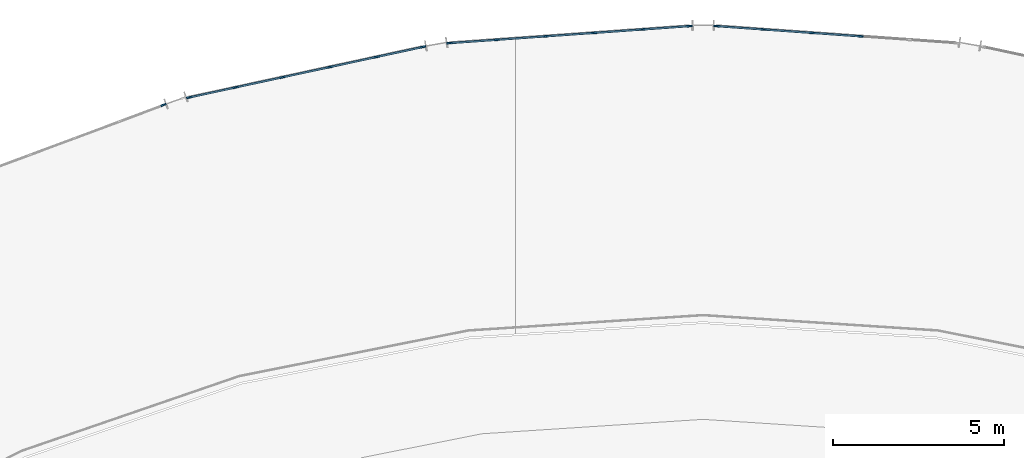
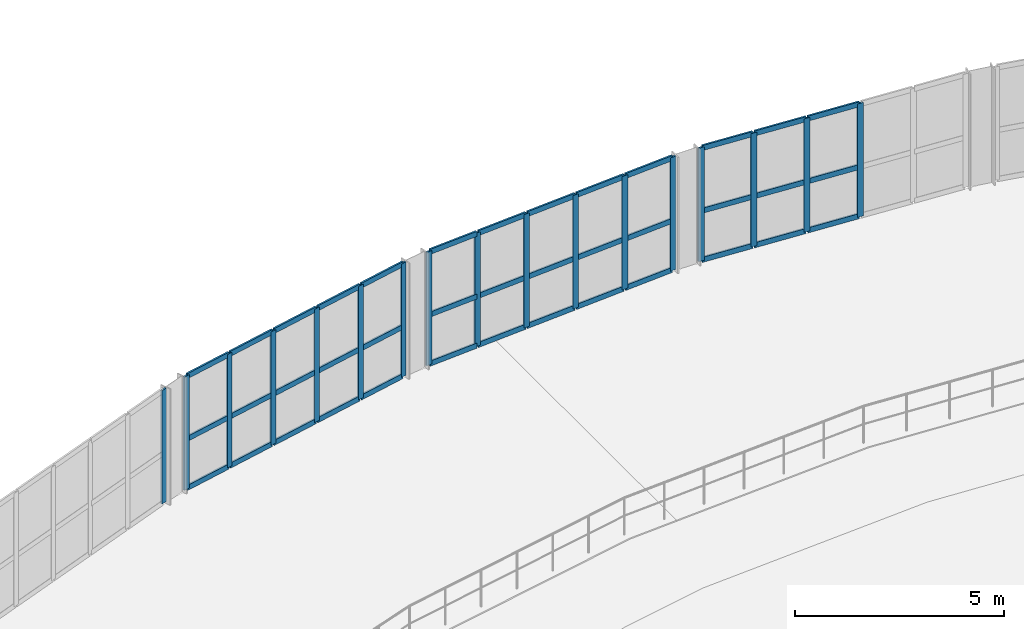
# One storey, part 19 of 40: 56 members, 4 elements without a shape of their own.
"""IFC4 building model written with IfcOpenShell, lengths in metres."""

from ifc_helpers import new_model, si_unit, direction, frame, origin, origin_2d, place, context, subcontext, project, spatial, rectangle, extrude, material, material_profile, profile_set, type_object, element, aggregate, save


model = new_model("IFC4")

# Units and contexts
model_context = context("Model", 3, precision=1e-05, world=origin(), true_north=direction((0.0, 1.0)))
body_context = subcontext(model_context, "Body", "Model", "MODEL_VIEW")
ifc_project = project(units=[si_unit("LENGTHUNIT", "METRE"), si_unit("AREAUNIT", "SQUARE_METRE"), si_unit("VOLUMEUNIT", "CUBIC_METRE"), si_unit("PLANEANGLEUNIT", "RADIAN"), si_unit("MASSUNIT", "GRAM", prefix="KILO")], contexts=[model_context])

# Site, building, storey
site_placement = place(None, origin())
site = spatial("IfcSite", under=ifc_project, at=site_placement, CompositionType="ELEMENT")
building_placement = place(site_placement, origin())
building = spatial("IfcBuilding", under=site, at=building_placement, Name="Glasvene Arena", CompositionType="ELEMENT")
storey_placement = place(building_placement, frame((0.0, 0.0, 24.0)))
storey = spatial("IfcBuildingStorey", under=building, at=storey_placement, Name="L05", CompositionType="ELEMENT", Elevation=24.0)

# Curtain wall, member
ifc_material_1 = material(Name="Low-emissivity laminated double glazing", Category="glass")
curtain_wall_type_1 = type_object("IfcCurtainWallType", Name="CW-FAC-L05-700x332", PredefinedType="USERDEFINED", material=ifc_material_1)
curtain_wall_1_placement = place(storey_placement, frame((69.648193359375, 113.22509765625, 0.0)))
curtain_wall_1 = element("IfcCurtainWall", 1, at=curtain_wall_1_placement, inside=storey, type_object=curtain_wall_type_1, Name="Unitised curtain wall CW-F-L05-150-729-1144-16", ObjectType="CURTAIN WALL", PredefinedType="USERDEFINED")
ifc_material_2 = material(Name="Anodised architectural aluminium", Category="aluminium")
ifc_material_profile_1 = material_profile(ifc_material_2, rectangle(XDim=0.050048828125, YDim=0.159912109375, at=origin_2d()), Name="ALU MULLION 50x160")
ifc_profile_set_1 = profile_set([ifc_material_profile_1], Name="Anodised architectural aluminium")
member_type_1 = type_object("IfcMemberType", Name="CW-MUL-150", PredefinedType="MULLION", material=ifc_profile_set_1)
member_1_placement = place(storey_placement, frame((76.181884765625, 115.66064453125, 0.06005859375), z_axis=(0.0, 0.0, 1.0), x_axis=(-0.349296753096, 0.937012154818, 0.0)))
member_1 = element("IfcMember", 2, at=member_1_placement, type_object=member_type_1, Name="CW-063 mullion 6", PredefinedType="MULLION", context=body_context, shape_type="SweptSolid", body=[
    extrude(rectangle(XDim=0.050048828125, YDim=0.159912109375, at=origin_2d()), origin(), (0.0, 0.0, 1.0), 3.31982421875),
])
aggregate(curtain_wall_1, [member_1])

# Curtain wall, members
curtain_wall_type_2 = type_object("IfcCurtainWallType", Name="CW-FAC-L05-707x332", PredefinedType="USERDEFINED", material=ifc_material_1)
curtain_wall_2_placement = place(storey_placement, frame((76.910888671875, 115.87548828125, 0.0)))
curtain_wall_2 = element("IfcCurtainWall", 3, at=curtain_wall_2_placement, inside=storey, type_object=curtain_wall_type_2, Name="Unitised curtain wall CW-F-L05-150-804-1166-17", ObjectType="CURTAIN WALL", PredefinedType="USERDEFINED")
member_2_placement = place(storey_placement, frame((76.935302734375, 115.880859375, 0.06005859375), z_axis=(0.0, 0.0, 1.0), x_axis=(-0.211220641072, 0.977438407668, 0.0)))
member_2 = element("IfcMember", 4, at=member_2_placement, type_object=member_type_1, Name="CW-064 mullion 1", PredefinedType="MULLION", context=body_context, shape_type="SweptSolid", body=[
    extrude(rectangle(XDim=0.050048828125, YDim=0.159912109375, at=origin_2d()), origin(), (0.0, 0.0, 1.0), 3.31982421875),
])
member_3_placement = place(storey_placement, frame((78.29248046875, 116.174072265625, 0.06005859375), z_axis=(0.0, 0.0, 1.0), x_axis=(-0.211220641072, 0.977438407668, 0.0)))
member_3 = element("IfcMember", 5, at=member_3_placement, type_object=member_type_1, Name="CW-064 mullion 2", PredefinedType="MULLION", context=body_context, shape_type="SweptSolid", body=[
    extrude(rectangle(XDim=0.050048828125, YDim=0.159912109375, at=origin_2d()), origin(), (0.0, 0.0, 1.0), 3.31982421875),
])
member_4_placement = place(storey_placement, frame((79.67431640625, 116.47265625, 0.06005859375), z_axis=(0.0, 0.0, 1.0), x_axis=(-0.211220641072, 0.977438407668, 0.0)))
member_4 = element("IfcMember", 6, at=member_4_placement, type_object=member_type_1, Name="CW-064 mullion 3", PredefinedType="MULLION", context=body_context, shape_type="SweptSolid", body=[
    extrude(rectangle(XDim=0.050048828125, YDim=0.159912109375, at=origin_2d()), origin(), (0.0, 0.0, 1.0), 3.31982421875),
])
member_5_placement = place(storey_placement, frame((81.055908203125, 116.771240234375, 0.06005859375), z_axis=(0.0, 0.0, 1.0), x_axis=(-0.211220641072, 0.977438407668, 0.0)))
member_5 = element("IfcMember", 7, at=member_5_placement, type_object=member_type_1, Name="CW-064 mullion 4", PredefinedType="MULLION", context=body_context, shape_type="SweptSolid", body=[
    extrude(rectangle(XDim=0.050048828125, YDim=0.159912109375, at=origin_2d()), origin(), (0.0, 0.0, 1.0), 3.31982421875),
])
member_6_placement = place(storey_placement, frame((82.4375, 117.06982421875, 0.06005859375), z_axis=(0.0, 0.0, 1.0), x_axis=(-0.211220641072, 0.977438407668, 0.0)))
member_6 = element("IfcMember", 8, at=member_6_placement, type_object=member_type_1, Name="CW-064 mullion 5", PredefinedType="MULLION", context=body_context, shape_type="SweptSolid", body=[
    extrude(rectangle(XDim=0.050048828125, YDim=0.159912109375, at=origin_2d()), origin(), (0.0, 0.0, 1.0), 3.31982421875),
])
member_7_placement = place(storey_placement, frame((83.794921875, 117.36328125, 0.06005859375), z_axis=(0.0, 0.0, 1.0), x_axis=(-0.211220641072, 0.977438407668, 0.0)))
member_7 = element("IfcMember", 9, at=member_7_placement, type_object=member_type_1, Name="CW-064 mullion 6", PredefinedType="MULLION", context=body_context, shape_type="SweptSolid", body=[
    extrude(rectangle(XDim=0.050048828125, YDim=0.159912109375, at=origin_2d()), origin(), (0.0, 0.0, 1.0), 3.31982421875),
])

curtain_wall_type_3 = type_object("IfcCurtainWallType", Name="CW-FAC-L05-710x332", PredefinedType="USERDEFINED", material=ifc_material_1)
curtain_wall_3_placement = place(storey_placement, frame((84.546142578125, 117.471923828125, 0.0)))
curtain_wall_3 = element("IfcCurtainWall", 10, at=curtain_wall_3_placement, inside=storey, type_object=curtain_wall_type_3, Name="Unitised curtain wall CW-F-L05-150-881-1177-18", ObjectType="CURTAIN WALL", PredefinedType="USERDEFINED")
member_8_placement = place(storey_placement, frame((84.571044921875, 117.473876953125, 0.06005859375), z_axis=(0.0, 0.0, 1.0), x_axis=(-0.070656884566, 0.997500679029, 0.0)))
member_8 = element("IfcMember", 11, at=member_8_placement, type_object=member_type_1, Name="CW-065 mullion 1", PredefinedType="MULLION", context=body_context, shape_type="SweptSolid", body=[
    extrude(rectangle(XDim=0.050048828125, YDim=0.159912109375, at=origin_2d()), origin(), (0.0, 0.0, 1.0), 3.31982421875),
])
member_9_placement = place(storey_placement, frame((85.96337890625, 117.572509765625, 0.06005859375), z_axis=(0.0, 0.0, 1.0), x_axis=(-0.070656884566, 0.997500679029, 0.0)))
member_9 = element("IfcMember", 12, at=member_9_placement, type_object=member_type_1, Name="CW-065 mullion 2", PredefinedType="MULLION", context=body_context, shape_type="SweptSolid", body=[
    extrude(rectangle(XDim=0.050048828125, YDim=0.159912109375, at=origin_2d()), origin(), (0.0, 0.0, 1.0), 3.31982421875),
])
member_10_placement = place(storey_placement, frame((87.380859375, 117.6728515625, 0.06005859375), z_axis=(0.0, 0.0, 1.0), x_axis=(-0.070656884566, 0.997500679029, 0.0)))
member_10 = element("IfcMember", 13, at=member_10_placement, type_object=member_type_1, Name="CW-065 mullion 3", PredefinedType="MULLION", context=body_context, shape_type="SweptSolid", body=[
    extrude(rectangle(XDim=0.050048828125, YDim=0.159912109375, at=origin_2d()), origin(), (0.0, 0.0, 1.0), 3.31982421875),
])
member_11_placement = place(storey_placement, frame((88.79833984375, 117.773193359375, 0.06005859375), z_axis=(0.0, 0.0, 1.0), x_axis=(-0.070656884566, 0.997500679029, 0.0)))
member_11 = element("IfcMember", 14, at=member_11_placement, type_object=member_type_1, Name="CW-065 mullion 4", PredefinedType="MULLION", context=body_context, shape_type="SweptSolid", body=[
    extrude(rectangle(XDim=0.050048828125, YDim=0.159912109375, at=origin_2d()), origin(), (0.0, 0.0, 1.0), 3.31982421875),
])
member_12_placement = place(storey_placement, frame((90.2158203125, 117.87353515625, 0.06005859375), z_axis=(0.0, 0.0, 1.0), x_axis=(-0.070656884566, 0.997500679029, 0.0)))
member_12 = element("IfcMember", 15, at=member_12_placement, type_object=member_type_1, Name="CW-065 mullion 5", PredefinedType="MULLION", context=body_context, shape_type="SweptSolid", body=[
    extrude(rectangle(XDim=0.050048828125, YDim=0.159912109375, at=origin_2d()), origin(), (0.0, 0.0, 1.0), 3.31982421875),
])
member_13_placement = place(storey_placement, frame((91.608154296875, 117.97216796875, 0.06005859375), z_axis=(0.0, 0.0, 1.0), x_axis=(-0.070656884566, 0.997500679029, 0.0)))
member_13 = element("IfcMember", 16, at=member_13_placement, type_object=member_type_1, Name="CW-065 mullion 6", PredefinedType="MULLION", context=body_context, shape_type="SweptSolid", body=[
    extrude(rectangle(XDim=0.050048828125, YDim=0.159912109375, at=origin_2d()), origin(), (0.0, 0.0, 1.0), 3.31982421875),
])

curtain_wall_4_placement = place(storey_placement, frame((92.366943359375, 117.97412109375, 0.0)))
curtain_wall_4 = element("IfcCurtainWall", 17, at=curtain_wall_4_placement, inside=storey, type_object=curtain_wall_type_3, Name="Unitised curtain wall CW-F-L05-150-959-1177-19", ObjectType="CURTAIN WALL", PredefinedType="USERDEFINED")
member_14_placement = place(storey_placement, frame((92.391845703125, 117.97216796875, 0.06005859375), z_axis=(0.0, 0.0, 1.0), x_axis=(0.070656884566, 0.997500679029, 0.0)))
member_14 = element("IfcMember", 18, at=member_14_placement, type_object=member_type_1, Name="CW-065 mullion 1", PredefinedType="MULLION", context=body_context, shape_type="SweptSolid", body=[
    extrude(rectangle(XDim=0.050048828125, YDim=0.159912109375, at=origin_2d()), origin(), (0.0, 0.0, 1.0), 3.31982421875),
])
member_15_placement = place(storey_placement, frame((93.7841796875, 117.87353515625, 0.06005859375), z_axis=(0.0, 0.0, 1.0), x_axis=(0.070656884566, 0.997500679029, 0.0)))
member_15 = element("IfcMember", 19, at=member_15_placement, type_object=member_type_1, Name="CW-065 mullion 2", PredefinedType="MULLION", context=body_context, shape_type="SweptSolid", body=[
    extrude(rectangle(XDim=0.050048828125, YDim=0.159912109375, at=origin_2d()), origin(), (0.0, 0.0, 1.0), 3.31982421875),
])
member_16_placement = place(storey_placement, frame((95.20166015625, 117.773193359375, 0.06005859375), z_axis=(0.0, 0.0, 1.0), x_axis=(0.070656884566, 0.997500679029, 0.0)))
member_16 = element("IfcMember", 20, at=member_16_placement, type_object=member_type_1, Name="CW-065 mullion 3", PredefinedType="MULLION", context=body_context, shape_type="SweptSolid", body=[
    extrude(rectangle(XDim=0.050048828125, YDim=0.159912109375, at=origin_2d()), origin(), (0.0, 0.0, 1.0), 3.31982421875),
])
member_17_placement = place(storey_placement, frame((96.619140625, 117.6728515625, 0.06005859375), z_axis=(0.0, 0.0, 1.0), x_axis=(0.070656884566, 0.997500679029, 0.0)))
member_17 = element("IfcMember", 21, at=member_17_placement, type_object=member_type_1, Name="CW-065 mullion 4", PredefinedType="MULLION", context=body_context, shape_type="SweptSolid", body=[
    extrude(rectangle(XDim=0.050048828125, YDim=0.159912109375, at=origin_2d()), origin(), (0.0, 0.0, 1.0), 3.31982421875),
])

# Member
ifc_material_profile_2 = material_profile(ifc_material_2, rectangle(XDim=0.050048828125, YDim=0.14990234375, at=origin_2d()), Name="ALU TRANSOM 50x150")
ifc_profile_set_2 = profile_set([ifc_material_profile_2], Name="Anodised architectural aluminium")
member_type_2 = type_object("IfcMemberType", Name="CW-TRN-150", PredefinedType="USERDEFINED", material=ifc_profile_set_2)
member_18_placement = place(storey_placement, frame((76.959716796875, 115.88623046875, 0.0849609375), z_axis=(0.977440632027, 0.211210347432, 0.0), x_axis=(-0.211210347432, 0.977440632027, 0.0)))
member_18 = element("IfcMember", 22, at=member_18_placement, type_object=member_type_2, Name="CW-064 transom 1.1", ObjectType="TRANSOM", PredefinedType="USERDEFINED", context=body_context, shape_type="SweptSolid", body=[
    extrude(rectangle(XDim=0.050048828125, YDim=0.14990234375, at=origin_2d()), origin(), (0.0, 0.0, 1.0), 1.338623046875),
])

member_19_placement = place(storey_placement, frame((76.959716796875, 115.88623046875, 1.52099609375), z_axis=(0.977440632027, 0.211210347432, 0.0), x_axis=(-0.211210347432, 0.977440632027, 0.0)))
member_19 = element("IfcMember", 23, at=member_19_placement, type_object=member_type_2, Name="CW-064 transom 1.2", ObjectType="TRANSOM", PredefinedType="USERDEFINED", context=body_context, shape_type="SweptSolid", body=[
    extrude(rectangle(XDim=0.050048828125, YDim=0.14990234375, at=origin_2d()), origin(), (0.0, 0.0, 1.0), 1.338623046875),
])

member_20_placement = place(storey_placement, frame((76.959716796875, 115.88623046875, 3.35498046875), z_axis=(0.977440632027, 0.211210347432, 0.0), x_axis=(-0.211210347432, 0.977440632027, 0.0)))
member_20 = element("IfcMember", 24, at=member_20_placement, type_object=member_type_2, Name="CW-064 transom 1.3", ObjectType="TRANSOM", PredefinedType="USERDEFINED", context=body_context, shape_type="SweptSolid", body=[
    extrude(rectangle(XDim=0.050048828125, YDim=0.14990234375, at=origin_2d()), origin(), (0.0, 0.0, 1.0), 1.338623046875),
])

member_21_placement = place(storey_placement, frame((78.31689453125, 116.179443359375, 0.0849609375), z_axis=(0.977426158745, 0.211277315867, 0.0), x_axis=(-0.211277315867, 0.977426158745, 0.0)))
member_21 = element("IfcMember", 25, at=member_21_placement, type_object=member_type_2, Name="CW-064 transom 2.1", ObjectType="TRANSOM", PredefinedType="USERDEFINED", context=body_context, shape_type="SweptSolid", body=[
    extrude(rectangle(XDim=0.050048828125, YDim=0.14990234375, at=origin_2d()), origin(), (0.0, 0.0, 1.0), 1.363525390625),
])

member_22_placement = place(storey_placement, frame((78.31689453125, 116.179443359375, 1.52099609375), z_axis=(0.977426158745, 0.211277315867, 0.0), x_axis=(-0.211277315867, 0.977426158745, 0.0)))
member_22 = element("IfcMember", 26, at=member_22_placement, type_object=member_type_2, Name="CW-064 transom 2.2", ObjectType="TRANSOM", PredefinedType="USERDEFINED", context=body_context, shape_type="SweptSolid", body=[
    extrude(rectangle(XDim=0.050048828125, YDim=0.14990234375, at=origin_2d()), origin(), (0.0, 0.0, 1.0), 1.363525390625),
])

member_23_placement = place(storey_placement, frame((78.31689453125, 116.179443359375, 3.35498046875), z_axis=(0.977426158745, 0.211277315867, 0.0), x_axis=(-0.211277315867, 0.977426158745, 0.0)))
member_23 = element("IfcMember", 27, at=member_23_placement, type_object=member_type_2, Name="CW-064 transom 2.3", ObjectType="TRANSOM", PredefinedType="USERDEFINED", context=body_context, shape_type="SweptSolid", body=[
    extrude(rectangle(XDim=0.050048828125, YDim=0.14990234375, at=origin_2d()), origin(), (0.0, 0.0, 1.0), 1.363525390625),
])

member_24_placement = place(storey_placement, frame((79.69873046875, 116.47802734375, 0.0849609375), z_axis=(0.977426158745, 0.211277315867, 0.0), x_axis=(-0.211277315867, 0.977426158745, 0.0)))
member_24 = element("IfcMember", 28, at=member_24_placement, type_object=member_type_2, Name="CW-064 transom 3.1", ObjectType="TRANSOM", PredefinedType="USERDEFINED", context=body_context, shape_type="SweptSolid", body=[
    extrude(rectangle(XDim=0.050048828125, YDim=0.14990234375, at=origin_2d()), origin(), (0.0, 0.0, 1.0), 1.363525390625),
])

member_25_placement = place(storey_placement, frame((79.69873046875, 116.47802734375, 1.52099609375), z_axis=(0.977426158745, 0.211277315867, 0.0), x_axis=(-0.211277315867, 0.977426158745, 0.0)))
member_25 = element("IfcMember", 29, at=member_25_placement, type_object=member_type_2, Name="CW-064 transom 3.2", ObjectType="TRANSOM", PredefinedType="USERDEFINED", context=body_context, shape_type="SweptSolid", body=[
    extrude(rectangle(XDim=0.050048828125, YDim=0.14990234375, at=origin_2d()), origin(), (0.0, 0.0, 1.0), 1.363525390625),
])

member_26_placement = place(storey_placement, frame((79.69873046875, 116.47802734375, 3.35498046875), z_axis=(0.977426158745, 0.211277315867, 0.0), x_axis=(-0.211277315867, 0.977426158745, 0.0)))
member_26 = element("IfcMember", 30, at=member_26_placement, type_object=member_type_2, Name="CW-064 transom 3.3", ObjectType="TRANSOM", PredefinedType="USERDEFINED", context=body_context, shape_type="SweptSolid", body=[
    extrude(rectangle(XDim=0.050048828125, YDim=0.14990234375, at=origin_2d()), origin(), (0.0, 0.0, 1.0), 1.363525390625),
])

member_27_placement = place(storey_placement, frame((81.080322265625, 116.776611328125, 0.0849609375), z_axis=(0.977426158745, 0.211277315867, 0.0), x_axis=(-0.211277315867, 0.977426158745, 0.0)))
member_27 = element("IfcMember", 31, at=member_27_placement, type_object=member_type_2, Name="CW-064 transom 4.1", ObjectType="TRANSOM", PredefinedType="USERDEFINED", context=body_context, shape_type="SweptSolid", body=[
    extrude(rectangle(XDim=0.050048828125, YDim=0.14990234375, at=origin_2d()), origin(), (0.0, 0.0, 1.0), 1.363525390625),
])

member_28_placement = place(storey_placement, frame((81.080322265625, 116.776611328125, 1.52099609375), z_axis=(0.977426158745, 0.211277315867, 0.0), x_axis=(-0.211277315867, 0.977426158745, 0.0)))
member_28 = element("IfcMember", 32, at=member_28_placement, type_object=member_type_2, Name="CW-064 transom 4.2", ObjectType="TRANSOM", PredefinedType="USERDEFINED", context=body_context, shape_type="SweptSolid", body=[
    extrude(rectangle(XDim=0.050048828125, YDim=0.14990234375, at=origin_2d()), origin(), (0.0, 0.0, 1.0), 1.363525390625),
])

member_29_placement = place(storey_placement, frame((81.080322265625, 116.776611328125, 3.35498046875), z_axis=(0.977426158745, 0.211277315867, 0.0), x_axis=(-0.211277315867, 0.977426158745, 0.0)))
member_29 = element("IfcMember", 33, at=member_29_placement, type_object=member_type_2, Name="CW-064 transom 4.3", ObjectType="TRANSOM", PredefinedType="USERDEFINED", context=body_context, shape_type="SweptSolid", body=[
    extrude(rectangle(XDim=0.050048828125, YDim=0.14990234375, at=origin_2d()), origin(), (0.0, 0.0, 1.0), 1.363525390625),
])

member_30_placement = place(storey_placement, frame((82.4619140625, 117.0751953125, 0.0849609375), z_axis=(0.97744876634, 0.211172699892, 0.0), x_axis=(-0.211172699892, 0.97744876634, 0.0)))
member_30 = element("IfcMember", 34, at=member_30_placement, type_object=member_type_2, Name="CW-064 transom 5.1", ObjectType="TRANSOM", PredefinedType="USERDEFINED", context=body_context, shape_type="SweptSolid", body=[
    extrude(rectangle(XDim=0.050048828125, YDim=0.14990234375, at=origin_2d()), origin(), (0.0, 0.0, 1.0), 1.3388671875),
])

member_31_placement = place(storey_placement, frame((82.4619140625, 117.0751953125, 1.52099609375), z_axis=(0.97744876634, 0.211172699892, 0.0), x_axis=(-0.211172699892, 0.97744876634, 0.0)))
member_31 = element("IfcMember", 35, at=member_31_placement, type_object=member_type_2, Name="CW-064 transom 5.2", ObjectType="TRANSOM", PredefinedType="USERDEFINED", context=body_context, shape_type="SweptSolid", body=[
    extrude(rectangle(XDim=0.050048828125, YDim=0.14990234375, at=origin_2d()), origin(), (0.0, 0.0, 1.0), 1.3388671875),
])

member_32_placement = place(storey_placement, frame((82.4619140625, 117.0751953125, 3.35498046875), z_axis=(0.97744876634, 0.211172699892, 0.0), x_axis=(-0.211172699892, 0.97744876634, 0.0)))
member_32 = element("IfcMember", 36, at=member_32_placement, type_object=member_type_2, Name="CW-064 transom 5.3", ObjectType="TRANSOM", PredefinedType="USERDEFINED", context=body_context, shape_type="SweptSolid", body=[
    extrude(rectangle(XDim=0.050048828125, YDim=0.14990234375, at=origin_2d()), origin(), (0.0, 0.0, 1.0), 1.3388671875),
])

aggregate(curtain_wall_2, [member_2, member_3, member_4, member_5, member_6, member_7, member_18, member_19, member_20, member_21, member_22, member_23, member_24, member_25, member_26, member_27, member_28, member_29, member_30, member_31, member_32])

member_33_placement = place(storey_placement, frame((84.595947265625, 117.4755859375, 0.0849609375), z_axis=(0.997507268322, 0.070563798396, 0.0), x_axis=(-0.070563798396, 0.997507268322, 0.0)))
member_33 = element("IfcMember", 37, at=member_33_placement, type_object=member_type_2, Name="CW-065 transom 1.1", ObjectType="TRANSOM", PredefinedType="USERDEFINED", context=body_context, shape_type="SweptSolid", body=[
    extrude(rectangle(XDim=0.050048828125, YDim=0.14990234375, at=origin_2d()), origin(), (0.0, 0.0, 1.0), 1.345947265625),
])

member_34_placement = place(storey_placement, frame((84.595947265625, 117.4755859375, 1.52099609375), z_axis=(0.997507268322, 0.070563798396, 0.0), x_axis=(-0.070563798396, 0.997507268322, 0.0)))
member_34 = element("IfcMember", 38, at=member_34_placement, type_object=member_type_2, Name="CW-065 transom 1.2", ObjectType="TRANSOM", PredefinedType="USERDEFINED", context=body_context, shape_type="SweptSolid", body=[
    extrude(rectangle(XDim=0.050048828125, YDim=0.14990234375, at=origin_2d()), origin(), (0.0, 0.0, 1.0), 1.345947265625),
])

member_35_placement = place(storey_placement, frame((84.595947265625, 117.4755859375, 3.35498046875), z_axis=(0.997507268322, 0.070563798396, 0.0), x_axis=(-0.070563798396, 0.997507268322, 0.0)))
member_35 = element("IfcMember", 39, at=member_35_placement, type_object=member_type_2, Name="CW-065 transom 1.3", ObjectType="TRANSOM", PredefinedType="USERDEFINED", context=body_context, shape_type="SweptSolid", body=[
    extrude(rectangle(XDim=0.050048828125, YDim=0.14990234375, at=origin_2d()), origin(), (0.0, 0.0, 1.0), 1.345947265625),
])

member_36_placement = place(storey_placement, frame((85.988525390625, 117.57421875, 0.0849609375), z_axis=(0.997497424399, 0.070702816905, 0.0), x_axis=(-0.070702816905, 0.997497424399, 0.0)))
member_36 = element("IfcMember", 40, at=member_36_placement, type_object=member_type_2, Name="CW-065 transom 2.1", ObjectType="TRANSOM", PredefinedType="USERDEFINED", context=body_context, shape_type="SweptSolid", body=[
    extrude(rectangle(XDim=0.050048828125, YDim=0.14990234375, at=origin_2d()), origin(), (0.0, 0.0, 1.0), 1.370849609375),
])

member_37_placement = place(storey_placement, frame((85.988525390625, 117.57421875, 1.52099609375), z_axis=(0.997497424399, 0.070702816905, 0.0), x_axis=(-0.070702816905, 0.997497424399, 0.0)))
member_37 = element("IfcMember", 41, at=member_37_placement, type_object=member_type_2, Name="CW-065 transom 2.2", ObjectType="TRANSOM", PredefinedType="USERDEFINED", context=body_context, shape_type="SweptSolid", body=[
    extrude(rectangle(XDim=0.050048828125, YDim=0.14990234375, at=origin_2d()), origin(), (0.0, 0.0, 1.0), 1.370849609375),
])

member_38_placement = place(storey_placement, frame((85.988525390625, 117.57421875, 3.35498046875), z_axis=(0.997497424399, 0.070702816905, 0.0), x_axis=(-0.070702816905, 0.997497424399, 0.0)))
member_38 = element("IfcMember", 42, at=member_38_placement, type_object=member_type_2, Name="CW-065 transom 2.3", ObjectType="TRANSOM", PredefinedType="USERDEFINED", context=body_context, shape_type="SweptSolid", body=[
    extrude(rectangle(XDim=0.050048828125, YDim=0.14990234375, at=origin_2d()), origin(), (0.0, 0.0, 1.0), 1.370849609375),
])

member_39_placement = place(storey_placement, frame((87.40576171875, 117.674560546875, 0.0849609375), z_axis=(0.997498314427, 0.070690258984, 0.0), x_axis=(-0.070690258984, 0.997498314427, 0.0)))
member_39 = element("IfcMember", 43, at=member_39_placement, type_object=member_type_2, Name="CW-065 transom 3.1", ObjectType="TRANSOM", PredefinedType="USERDEFINED", context=body_context, shape_type="SweptSolid", body=[
    extrude(rectangle(XDim=0.050048828125, YDim=0.14990234375, at=origin_2d()), origin(), (0.0, 0.0, 1.0), 1.37109375),
])

member_40_placement = place(storey_placement, frame((87.40576171875, 117.674560546875, 1.52099609375), z_axis=(0.997498314427, 0.070690258984, 0.0), x_axis=(-0.070690258984, 0.997498314427, 0.0)))
member_40 = element("IfcMember", 44, at=member_40_placement, type_object=member_type_2, Name="CW-065 transom 3.2", ObjectType="TRANSOM", PredefinedType="USERDEFINED", context=body_context, shape_type="SweptSolid", body=[
    extrude(rectangle(XDim=0.050048828125, YDim=0.14990234375, at=origin_2d()), origin(), (0.0, 0.0, 1.0), 1.37109375),
])

member_41_placement = place(storey_placement, frame((87.40576171875, 117.674560546875, 3.35498046875), z_axis=(0.997498314427, 0.070690258984, 0.0), x_axis=(-0.070690258984, 0.997498314427, 0.0)))
member_41 = element("IfcMember", 45, at=member_41_placement, type_object=member_type_2, Name="CW-065 transom 3.3", ObjectType="TRANSOM", PredefinedType="USERDEFINED", context=body_context, shape_type="SweptSolid", body=[
    extrude(rectangle(XDim=0.050048828125, YDim=0.14990234375, at=origin_2d()), origin(), (0.0, 0.0, 1.0), 1.37109375),
])

member_42_placement = place(storey_placement, frame((88.8232421875, 117.77490234375, 0.0849609375), z_axis=(0.997497424399, 0.070702816905, 0.0), x_axis=(-0.070702816905, 0.997497424399, 0.0)))
member_42 = element("IfcMember", 46, at=member_42_placement, type_object=member_type_2, Name="CW-065 transom 4.1", ObjectType="TRANSOM", PredefinedType="USERDEFINED", context=body_context, shape_type="SweptSolid", body=[
    extrude(rectangle(XDim=0.050048828125, YDim=0.14990234375, at=origin_2d()), origin(), (0.0, 0.0, 1.0), 1.370849609375),
])

member_43_placement = place(storey_placement, frame((88.8232421875, 117.77490234375, 1.52099609375), z_axis=(0.997497424399, 0.070702816905, 0.0), x_axis=(-0.070702816905, 0.997497424399, 0.0)))
member_43 = element("IfcMember", 47, at=member_43_placement, type_object=member_type_2, Name="CW-065 transom 4.2", ObjectType="TRANSOM", PredefinedType="USERDEFINED", context=body_context, shape_type="SweptSolid", body=[
    extrude(rectangle(XDim=0.050048828125, YDim=0.14990234375, at=origin_2d()), origin(), (0.0, 0.0, 1.0), 1.370849609375),
])

member_44_placement = place(storey_placement, frame((88.8232421875, 117.77490234375, 3.35498046875), z_axis=(0.997497424399, 0.070702816905, 0.0), x_axis=(-0.070702816905, 0.997497424399, 0.0)))
member_44 = element("IfcMember", 48, at=member_44_placement, type_object=member_type_2, Name="CW-065 transom 4.3", ObjectType="TRANSOM", PredefinedType="USERDEFINED", context=body_context, shape_type="SweptSolid", body=[
    extrude(rectangle(XDim=0.050048828125, YDim=0.14990234375, at=origin_2d()), origin(), (0.0, 0.0, 1.0), 1.370849609375),
])

member_45_placement = place(storey_placement, frame((90.24072265625, 117.87548828125, 0.0849609375), z_axis=(0.997507268322, 0.070563798396, 0.0), x_axis=(-0.070563798396, 0.997507268322, 0.0)))
member_45 = element("IfcMember", 49, at=member_45_placement, type_object=member_type_2, Name="CW-065 transom 5.1", ObjectType="TRANSOM", PredefinedType="USERDEFINED", context=body_context, shape_type="SweptSolid", body=[
    extrude(rectangle(XDim=0.050048828125, YDim=0.14990234375, at=origin_2d()), origin(), (0.0, 0.0, 1.0), 1.345947265625),
])

member_46_placement = place(storey_placement, frame((90.24072265625, 117.87548828125, 1.52099609375), z_axis=(0.997507268322, 0.070563798396, 0.0), x_axis=(-0.070563798396, 0.997507268322, 0.0)))
member_46 = element("IfcMember", 50, at=member_46_placement, type_object=member_type_2, Name="CW-065 transom 5.2", ObjectType="TRANSOM", PredefinedType="USERDEFINED", context=body_context, shape_type="SweptSolid", body=[
    extrude(rectangle(XDim=0.050048828125, YDim=0.14990234375, at=origin_2d()), origin(), (0.0, 0.0, 1.0), 1.345947265625),
])

member_47_placement = place(storey_placement, frame((90.24072265625, 117.87548828125, 3.35498046875), z_axis=(0.997507268322, 0.070563798396, 0.0), x_axis=(-0.070563798396, 0.997507268322, 0.0)))
member_47 = element("IfcMember", 51, at=member_47_placement, type_object=member_type_2, Name="CW-065 transom 5.3", ObjectType="TRANSOM", PredefinedType="USERDEFINED", context=body_context, shape_type="SweptSolid", body=[
    extrude(rectangle(XDim=0.050048828125, YDim=0.14990234375, at=origin_2d()), origin(), (0.0, 0.0, 1.0), 1.345947265625),
])

aggregate(curtain_wall_3, [member_8, member_9, member_10, member_11, member_12, member_13, member_33, member_34, member_35, member_36, member_37, member_38, member_39, member_40, member_41, member_42, member_43, member_44, member_45, member_46, member_47])

member_48_placement = place(storey_placement, frame((92.416748046875, 117.970458984375, 0.0849609375), z_axis=(0.997507268322, -0.070563798396, 0.0), x_axis=(0.070563798396, 0.997507268322, 0.0)))
member_48 = element("IfcMember", 52, at=member_48_placement, type_object=member_type_2, Name="CW-065 transom 1.1", ObjectType="TRANSOM", PredefinedType="USERDEFINED", context=body_context, shape_type="SweptSolid", body=[
    extrude(rectangle(XDim=0.050048828125, YDim=0.14990234375, at=origin_2d()), origin(), (0.0, 0.0, 1.0), 1.345947265625),
])

member_49_placement = place(storey_placement, frame((92.416748046875, 117.970458984375, 1.52099609375), z_axis=(0.997507268322, -0.070563798396, 0.0), x_axis=(0.070563798396, 0.997507268322, 0.0)))
member_49 = element("IfcMember", 53, at=member_49_placement, type_object=member_type_2, Name="CW-065 transom 1.2", ObjectType="TRANSOM", PredefinedType="USERDEFINED", context=body_context, shape_type="SweptSolid", body=[
    extrude(rectangle(XDim=0.050048828125, YDim=0.14990234375, at=origin_2d()), origin(), (0.0, 0.0, 1.0), 1.345947265625),
])

member_50_placement = place(storey_placement, frame((92.416748046875, 117.970458984375, 3.35498046875), z_axis=(0.997507268322, -0.070563798396, 0.0), x_axis=(0.070563798396, 0.997507268322, 0.0)))
member_50 = element("IfcMember", 54, at=member_50_placement, type_object=member_type_2, Name="CW-065 transom 1.3", ObjectType="TRANSOM", PredefinedType="USERDEFINED", context=body_context, shape_type="SweptSolid", body=[
    extrude(rectangle(XDim=0.050048828125, YDim=0.14990234375, at=origin_2d()), origin(), (0.0, 0.0, 1.0), 1.345947265625),
])

member_51_placement = place(storey_placement, frame((93.809326171875, 117.871826171875, 0.0849609375), z_axis=(0.997497424399, -0.070702816905, 0.0), x_axis=(0.070702816905, 0.997497424399, 0.0)))
member_51 = element("IfcMember", 55, at=member_51_placement, type_object=member_type_2, Name="CW-065 transom 2.1", ObjectType="TRANSOM", PredefinedType="USERDEFINED", context=body_context, shape_type="SweptSolid", body=[
    extrude(rectangle(XDim=0.050048828125, YDim=0.14990234375, at=origin_2d()), origin(), (0.0, 0.0, 1.0), 1.370849609375),
])

member_52_placement = place(storey_placement, frame((93.809326171875, 117.871826171875, 1.52099609375), z_axis=(0.997497424399, -0.070702816905, 0.0), x_axis=(0.070702816905, 0.997497424399, 0.0)))
member_52 = element("IfcMember", 56, at=member_52_placement, type_object=member_type_2, Name="CW-065 transom 2.2", ObjectType="TRANSOM", PredefinedType="USERDEFINED", context=body_context, shape_type="SweptSolid", body=[
    extrude(rectangle(XDim=0.050048828125, YDim=0.14990234375, at=origin_2d()), origin(), (0.0, 0.0, 1.0), 1.370849609375),
])

member_53_placement = place(storey_placement, frame((93.809326171875, 117.871826171875, 3.35498046875), z_axis=(0.997497424399, -0.070702816905, 0.0), x_axis=(0.070702816905, 0.997497424399, 0.0)))
member_53 = element("IfcMember", 57, at=member_53_placement, type_object=member_type_2, Name="CW-065 transom 2.3", ObjectType="TRANSOM", PredefinedType="USERDEFINED", context=body_context, shape_type="SweptSolid", body=[
    extrude(rectangle(XDim=0.050048828125, YDim=0.14990234375, at=origin_2d()), origin(), (0.0, 0.0, 1.0), 1.370849609375),
])

member_54_placement = place(storey_placement, frame((95.2265625, 117.771484375, 0.0849609375), z_axis=(0.997498314427, -0.070690258984, 0.0), x_axis=(0.070690258984, 0.997498314427, 0.0)))
member_54 = element("IfcMember", 58, at=member_54_placement, type_object=member_type_2, Name="CW-065 transom 3.1", ObjectType="TRANSOM", PredefinedType="USERDEFINED", context=body_context, shape_type="SweptSolid", body=[
    extrude(rectangle(XDim=0.050048828125, YDim=0.14990234375, at=origin_2d()), origin(), (0.0, 0.0, 1.0), 1.37109375),
])

member_55_placement = place(storey_placement, frame((95.2265625, 117.771484375, 1.52099609375), z_axis=(0.997498314427, -0.070690258984, 0.0), x_axis=(0.070690258984, 0.997498314427, 0.0)))
member_55 = element("IfcMember", 59, at=member_55_placement, type_object=member_type_2, Name="CW-065 transom 3.2", ObjectType="TRANSOM", PredefinedType="USERDEFINED", context=body_context, shape_type="SweptSolid", body=[
    extrude(rectangle(XDim=0.050048828125, YDim=0.14990234375, at=origin_2d()), origin(), (0.0, 0.0, 1.0), 1.37109375),
])

member_56_placement = place(storey_placement, frame((95.2265625, 117.771484375, 3.35498046875), z_axis=(0.997498314427, -0.070690258984, 0.0), x_axis=(0.070690258984, 0.997498314427, 0.0)))
member_56 = element("IfcMember", 60, at=member_56_placement, type_object=member_type_2, Name="CW-065 transom 3.3", ObjectType="TRANSOM", PredefinedType="USERDEFINED", context=body_context, shape_type="SweptSolid", body=[
    extrude(rectangle(XDim=0.050048828125, YDim=0.14990234375, at=origin_2d()), origin(), (0.0, 0.0, 1.0), 1.37109375),
])

aggregate(curtain_wall_4, [member_14, member_15, member_16, member_17, member_48, member_49, member_50, member_51, member_52, member_53, member_54, member_55, member_56])

save(model, "model.ifc")
